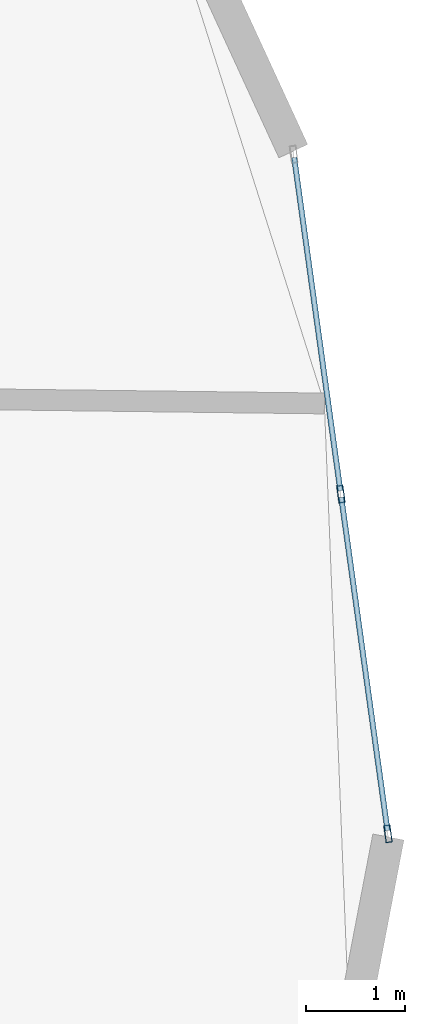
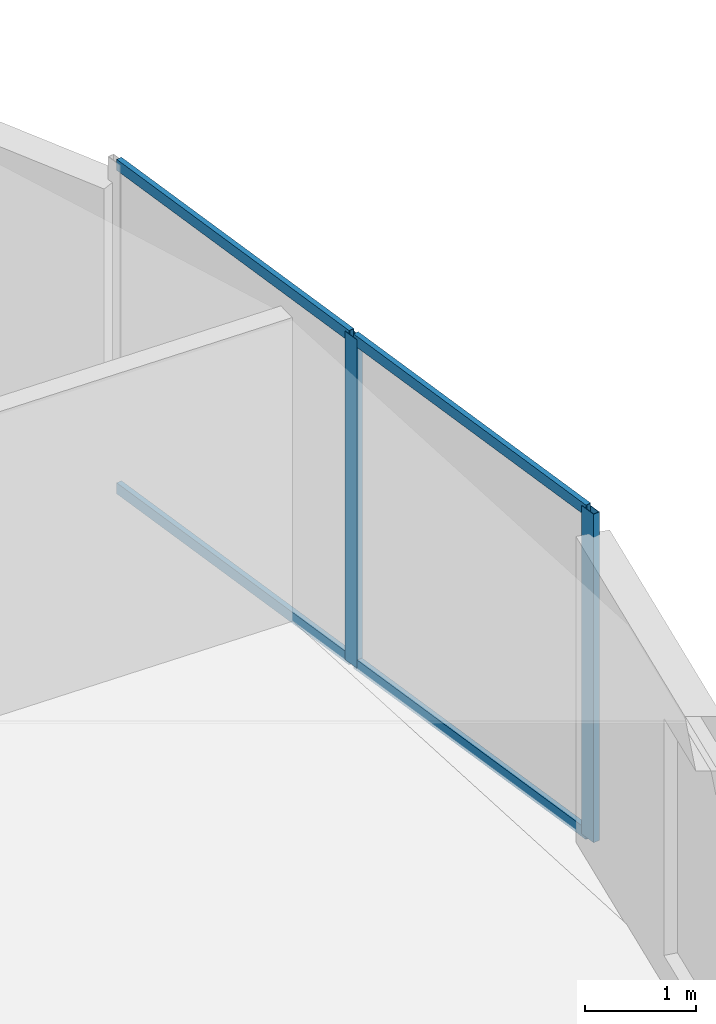
# One storey, part 10 of 23: 6 members, 1 element without a shape of its own.
"""IFC4 building model written with IfcOpenShell, lengths in metres."""

from ifc_helpers import new_model, si_unit, direction, frame, origin, origin_2d, place, context, subcontext, project, spatial, hollow_rectangle, extrude, source, transform, mapped, material, layer, layer_set, material_profile, profile_set, type_object, element, aggregate, save


model = new_model("IFC4")

# Units and contexts
model_context = context("Model", 3, precision=1e-05, world=origin(), true_north=direction((0.0, 1.0)))
body_context = subcontext(model_context, "Body", "Model", "MODEL_VIEW")
ifc_project = project(units=[si_unit("LENGTHUNIT", "METRE"), si_unit("AREAUNIT", "SQUARE_METRE"), si_unit("VOLUMEUNIT", "CUBIC_METRE"), si_unit("PLANEANGLEUNIT", "RADIAN"), si_unit("MASSUNIT", "GRAM", prefix="KILO")], contexts=[model_context])

# Site, building, storey
site_placement = place(None, origin())
site = spatial("IfcSite", under=ifc_project, at=site_placement, CompositionType="ELEMENT")
building_placement = place(site_placement, origin())
building = spatial("IfcBuilding", under=site, at=building_placement, Name="Solvirekh Grand Hotel", CompositionType="ELEMENT")
storey_placement = place(building_placement, frame((0.0, 0.0, 138.60009765625)))
storey = spatial("IfcBuildingStorey", under=building, at=storey_placement, Name="L35", CompositionType="ELEMENT", Elevation=138.60009765625)

# Curtain wall, members
ifc_material = material(Name="Anodized Bronze Aluminium 6063-T6", Category="aluminium")
ifc_layer = layer(ifc_material, 0.175048828125)
ifc_layer_set = layer_set([ifc_layer], Name="Anodized Bronze Aluminium 6063-T6")
curtain_wall_type = type_object("IfcCurtainWallType", Name="CW_Sys3_MidZoneFlushBronzeCW", PredefinedType="NOTDEFINED", material=ifc_layer_set)
curtain_wall_placement = place(storey_placement, origin())
curtain_wall = element("IfcCurtainWall", 1, at=curtain_wall_placement, inside=storey, type_object=curtain_wall_type, Name="L35 unitised bronze-glass curtain wall CW-L35-C03", PredefinedType="NOTDEFINED")
ifc_material_profile_1 = material_profile(ifc_material, hollow_rectangle(XDim=0.06494140625, YDim=0.175048828125, WallThickness=0.0048828125, at=origin_2d()), Name="ALU RHS 175X65X5")
ifc_profile_set_1 = profile_set([ifc_material_profile_1], Name="Anodized Bronze Aluminium 6063-T6")
member_type_1 = type_object("IfcMemberType", Name="CWMullion_Sys3", PredefinedType="MULLION", material=ifc_profile_set_1)
shared_shape_1 = source(origin(), body_context, "Body", "SweptSolid", [
    extrude(hollow_rectangle(XDim=0.06494140625, YDim=0.175048828125, WallThickness=0.0048828125, at=origin_2d()), origin(), (0.0, 0.0, 1.0), 3.599853515625),
])
member_1_placement = place(storey_placement, frame((23.671630859375, -4.34375, 0.0), z_axis=(0.0, 0.0, 1.0), x_axis=(-0.990522035105, -0.137353915019, 0.0)))
member_1 = element("IfcMember", 2, at=member_1_placement, type_object=member_type_1, Name="U03 mullion 1", PredefinedType="MULLION", context=body_context, shape_type="MappedRepresentation", body=[
    mapped(shared_shape_1, transform((0.0, 0.0, 0.0), x_axis=(1.0, 0.0, 0.0), y_axis=(0.0, 1.0, 0.0), z_axis=(0.0, 0.0, 1.0), scale=1.0)),
])
member_2_placement = place(storey_placement, frame((23.196044921875, -0.91455078125, 0.0), z_axis=(0.0, 0.0, 1.0), x_axis=(-0.990522035105, -0.137353915019, 0.0)))
member_2 = element("IfcMember", 3, at=member_2_placement, type_object=member_type_1, Name="U03 mullion 2", PredefinedType="MULLION", context=body_context, shape_type="MappedRepresentation", body=[
    mapped(shared_shape_1, transform((0.0, 0.0, 0.0), x_axis=(1.0, 0.0, 0.0), y_axis=(0.0, 1.0, 0.0), z_axis=(0.0, 0.0, 1.0), scale=1.0)),
])
ifc_material_profile_2 = material_profile(ifc_material, hollow_rectangle(XDim=0.054931640625, YDim=0.1201171875, WallThickness=0.00390625, at=origin_2d()), Name="ALU RHS 120X55X4")
ifc_profile_set_2 = profile_set([ifc_material_profile_2], Name="Anodized Bronze Aluminium 6063-T6")
member_type_2 = type_object("IfcMemberType", Name="CWTransom_Sys3", PredefinedType="USERDEFINED", material=ifc_profile_set_2)
shared_shape_2 = source(origin(), body_context, "Body", "SweptSolid", [
    extrude(hollow_rectangle(XDim=0.054931640625, YDim=0.1201171875, WallThickness=0.00390625, at=origin_2d()), origin(), (0.0, 0.0, 1.0), 3.397216796875),
])
member_3_placement = place(storey_placement, frame((23.191650390625, -0.88232421875, 0.02734375), z_axis=(-0.137405816416, 0.990514836646, 0.0), x_axis=(-0.990514836646, -0.137405816416, 0.0)))
member_3 = element("IfcMember", 4, at=member_3_placement, type_object=member_type_2, Name="U03 transom 2.1", ObjectType="TRANSOM", PredefinedType="USERDEFINED", context=body_context, shape_type="MappedRepresentation", body=[
    mapped(shared_shape_2, transform((0.0, 0.0, 0.0), x_axis=(1.0, 0.0, 0.0), y_axis=(0.0, 1.0, 0.0), z_axis=(0.0, 0.0, 1.0), scale=1.0)),
])
member_4_placement = place(storey_placement, frame((23.191650390625, -0.88232421875, 3.572509765625), z_axis=(-0.137405816416, 0.990514836646, 0.0), x_axis=(-0.990514836646, -0.137405816416, 0.0)))
member_4 = element("IfcMember", 5, at=member_4_placement, type_object=member_type_2, Name="U03 transom 2.2", ObjectType="TRANSOM", PredefinedType="USERDEFINED", context=body_context, shape_type="MappedRepresentation", body=[
    mapped(shared_shape_2, transform((0.0, 0.0, 0.0), x_axis=(1.0, 0.0, 0.0), y_axis=(0.0, 1.0, 0.0), z_axis=(0.0, 0.0, 1.0), scale=1.0)),
])
shared_shape_3 = source(origin(), body_context, "Body", "SweptSolid", [
    extrude(hollow_rectangle(XDim=0.054931640625, YDim=0.1201171875, WallThickness=0.00390625, at=origin_2d()), origin(), (0.0, 0.0, 1.0), 3.39697265625),
])
member_5_placement = place(storey_placement, frame((23.6669921875, -4.3115234375, 0.02734375), z_axis=(-0.137345084107, 0.990523259632, 0.0), x_axis=(-0.990523259632, -0.137345084107, 0.0)))
member_5 = element("IfcMember", 6, at=member_5_placement, type_object=member_type_2, Name="U03 transom 1.1", ObjectType="TRANSOM", PredefinedType="USERDEFINED", context=body_context, shape_type="MappedRepresentation", body=[
    mapped(shared_shape_3, transform((0.0, 0.0, 0.0), x_axis=(1.0, 0.0, 0.0), y_axis=(0.0, 1.0, 0.0), z_axis=(0.0, 0.0, 1.0), scale=1.0)),
])
member_6_placement = place(storey_placement, frame((23.6669921875, -4.3115234375, 3.572509765625), z_axis=(-0.137345084107, 0.990523259632, 0.0), x_axis=(-0.990523259632, -0.137345084107, 0.0)))
member_6 = element("IfcMember", 7, at=member_6_placement, type_object=member_type_2, Name="U03 transom 1.2", ObjectType="TRANSOM", PredefinedType="USERDEFINED", context=body_context, shape_type="MappedRepresentation", body=[
    mapped(shared_shape_3, transform((0.0, 0.0, 0.0), x_axis=(1.0, 0.0, 0.0), y_axis=(0.0, 1.0, 0.0), z_axis=(0.0, 0.0, 1.0), scale=1.0)),
])
aggregate(curtain_wall, [member_1, member_2, member_5, member_6, member_3, member_4])

save(model, "model.ifc")
